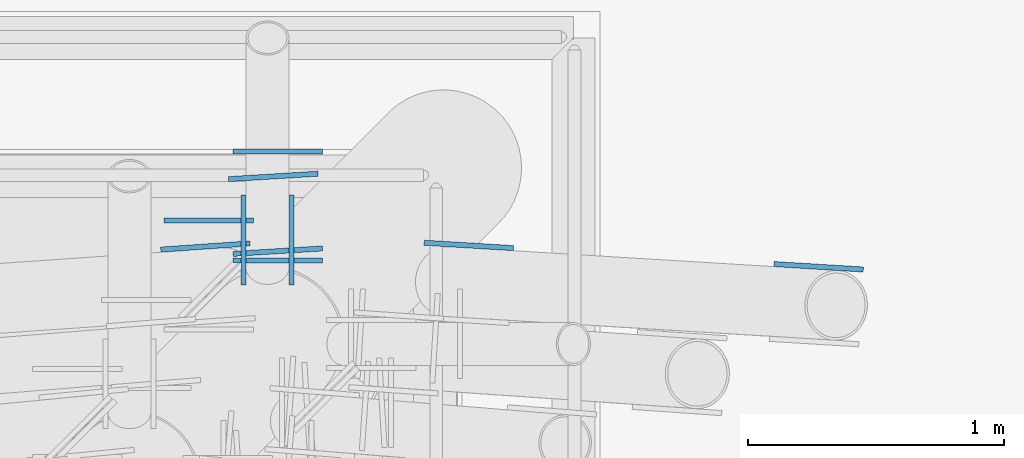
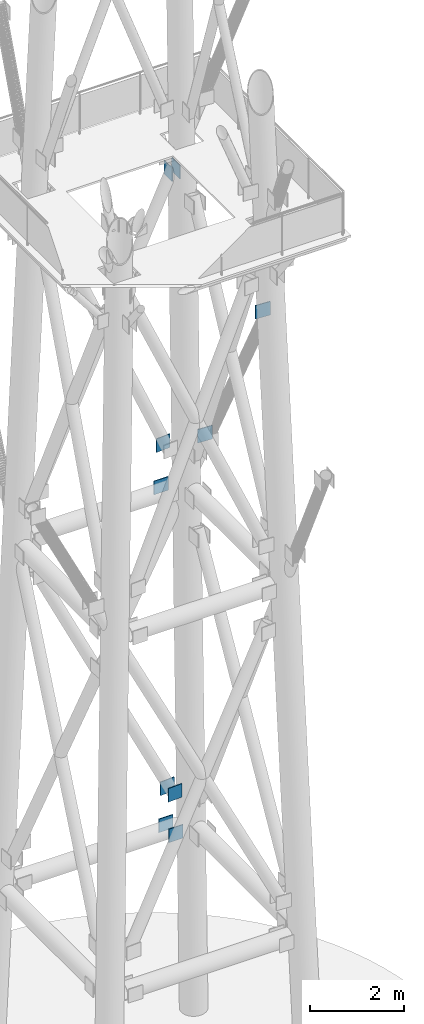
# One storey, part 24 of 25: 10 discrete accessories.
"""IFC4 building model written with IfcOpenShell, lengths in metres."""

from ifc_helpers import new_model, si_unit, direction, frame, origin, origin_2d, place, context, subcontext, project, spatial, rectangle, extrude, element, save


model = new_model("IFC4")

# Units and contexts
model_context = context("Model", 3, precision=1e-05, world=origin(), true_north=direction((0.0, 1.0)))
body_context = subcontext(model_context, "Body", "Model", "MODEL_VIEW")
ifc_project = project(units=[si_unit("LENGTHUNIT", "METRE"), si_unit("AREAUNIT", "SQUARE_METRE"), si_unit("VOLUMEUNIT", "CUBIC_METRE"), si_unit("PLANEANGLEUNIT", "RADIAN"), si_unit("MASSUNIT", "GRAM", prefix="KILO")], contexts=[model_context])

# Site, building, storey
site_placement = place(None, origin())
site = spatial("IfcSite", under=ifc_project, at=site_placement, CompositionType="ELEMENT")
building_placement = place(site_placement, origin())
building = spatial("IfcBuilding", under=site, at=building_placement, Name="Vidyagriha Tower", CompositionType="ELEMENT")
storey_placement = place(building_placement, frame((0.0, 0.0, 318.39990234375)))
storey = spatial("IfcBuildingStorey", under=building, at=storey_placement, Name="RF", CompositionType="ELEMENT", Elevation=318.39990234375)

# Discrete accessories
for number, where, name in (
    (1, (1.85009765625, 15.56298828125, 4.824951171875), "End plate ASTM A572 Grade 50 20mm"),
    (2, (1.85009765625, 15.136962890625, 4.824951171875), "End plate ASTM A572 Grade 50 20mm"),
    (3, (1.580078125, 15.29296875, 13.824951171875), "End plate ASTM A572 Grade 50 20mm"),
):
    element("IfcDiscreteAccessory", number, at=place(storey_placement, frame(where)), inside=storey, Name=name, ObjectType="END PLATE", PredefinedType="USERDEFINED", context=body_context, shape_type="SweptSolid", body=[
        extrude(rectangle(XDim=0.35009765625, YDim=0.02001953125, at=origin_2d()), origin(), (0.0, 0.0, 1.0), 0.35009765625),
    ])
for number, where, z_axis, x_axis, name in (
    (4, (1.832763671875, 15.465087890625, 5.85791015625), (0.0, 0.0, 1.0), (0.998148730357, 0.060820326265, 0.0), "End plate ASTM A572 Grade 50 20mm"),
    (5, (1.8505859375, 15.1728515625, 5.85791015625), (0.0, 0.0, 1.0), (0.998148730357, 0.060820326265, 0.0), "End plate ASTM A572 Grade 50 20mm"),
    (6, (2.597412109375, 15.1953125, 14.85791015625), (0.0, 0.0, 1.0), (-0.998150322287, 0.060794194772, 0.0), "End plate ASTM A572 Grade 50 20mm"),
    (7, (3.964599609375, 15.11181640625, 17.6357421875), (0.0, 0.0, 1.0), (0.998150322287, -0.060794194772, 0.0), "End plate ASTM A572 Grade 50 20mm"),
    (8, (1.5673828125, 15.191162109375, 14.988037109375), (0.0, 0.0, 1.0), (0.997601404512, 0.069220211754, 0.0), "End plate ASTM A572 Grade 50 20mm"),
    (9, (1.904052734375, 15.216552734375, 21.96337890625), (0.0, 0.0, 1.0), (0.0, -1.0, 0.0), "End plate ASTM A572 Grade 50 20mm"),
    (10, (1.716064453125, 15.216552734375, 21.96337890625), (0.0, 0.0, 1.0), (0.0, -1.0, 0.0), "End plate ASTM A572 Grade 50 20mm"),
):
    element("IfcDiscreteAccessory", number, at=place(storey_placement, frame(where, z_axis=z_axis, x_axis=x_axis)), inside=storey, Name=name, ObjectType="END PLATE", PredefinedType="USERDEFINED", context=body_context, shape_type="SweptSolid", body=[
        extrude(rectangle(XDim=0.35009765625, YDim=0.02001953125, at=origin_2d()), origin(), (0.0, 0.0, 1.0), 0.35009765625),
    ])

save(model, "model.ifc")
